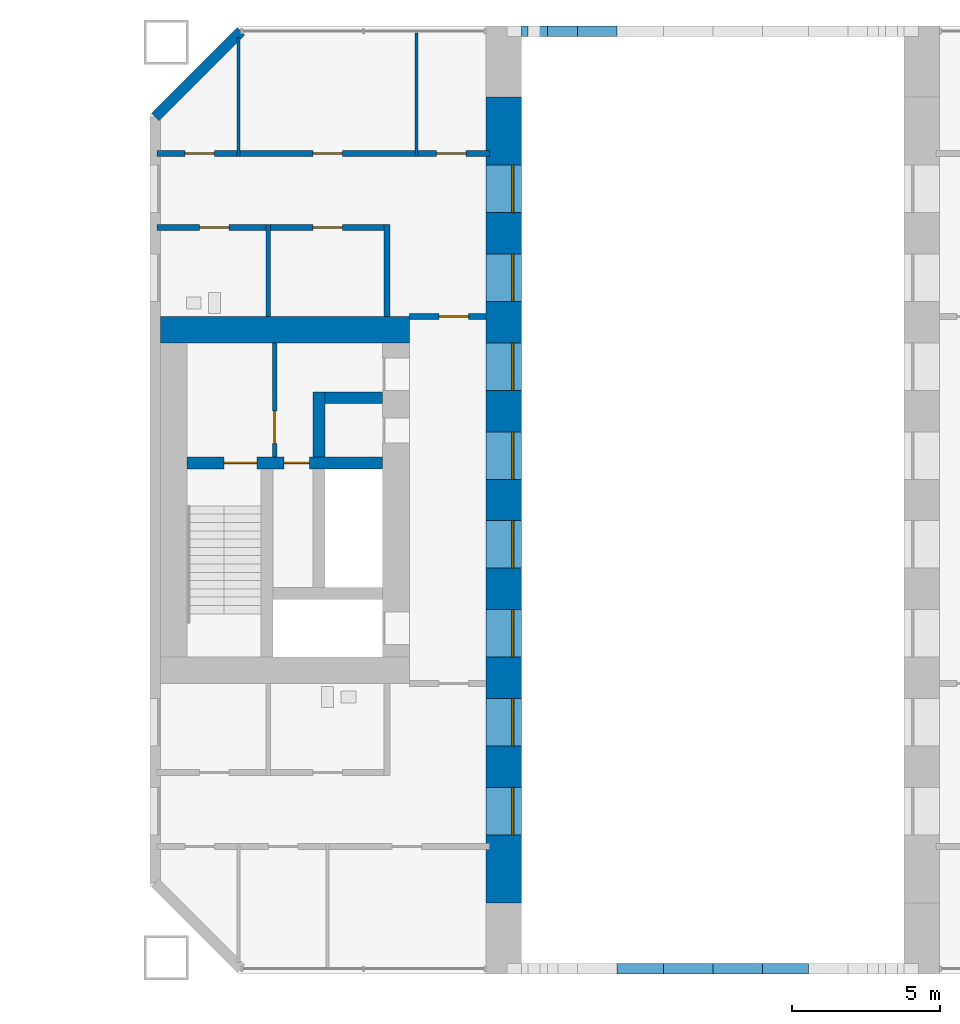
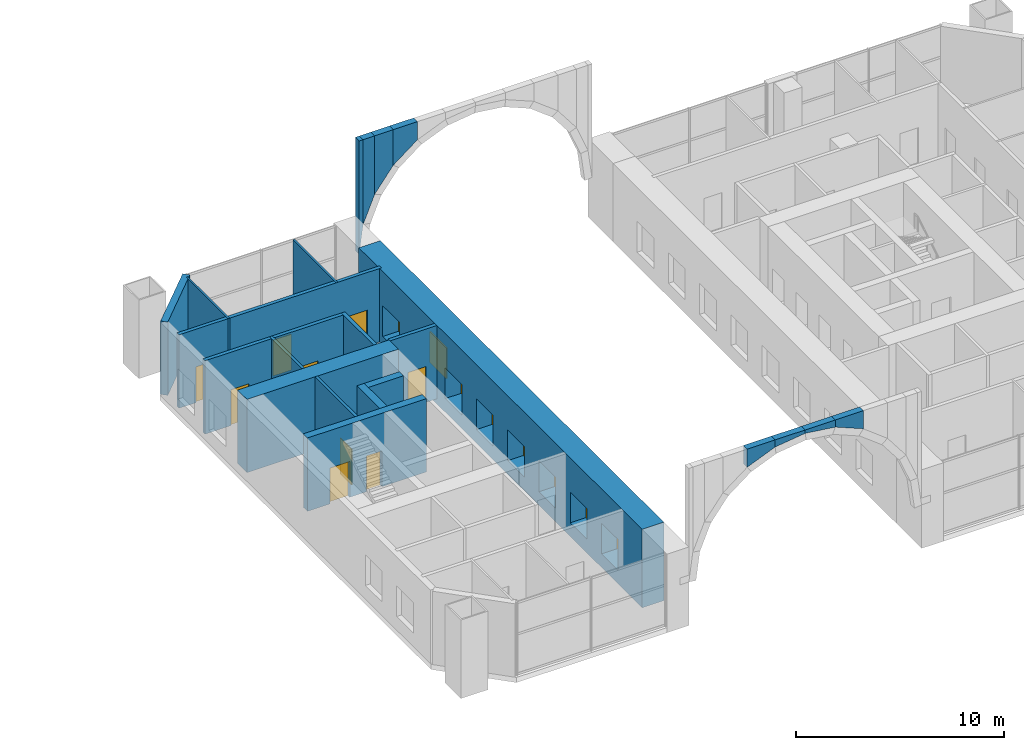
# One storey, part 15 of 21: 22 walls, 9 doors, 8 windows, 17 openings.
"""IFC4 building model written with IfcOpenShell, lengths in metres."""

from ifc_helpers import new_model, si_unit, direction, frame, frame_2d, origin, place, context, subcontext, project, spatial, polyline, rectangle, outline, extrude, material, layer, layer_set, type_object, element, fill, save


model = new_model("IFC4")

# Units and contexts
model_context = context("Model", 3, precision=1e-05, world=origin(), true_north=direction((0.0, 1.0)))
body_context = subcontext(model_context, "Body", "Model", "MODEL_VIEW")
ifc_project = project(units=[si_unit("LENGTHUNIT", "METRE"), si_unit("AREAUNIT", "SQUARE_METRE"), si_unit("VOLUMEUNIT", "CUBIC_METRE"), si_unit("PLANEANGLEUNIT", "RADIAN"), si_unit("MASSUNIT", "GRAM", prefix="KILO")], contexts=[model_context])

# Site, building, storey
site_placement = place(None, origin())
site = spatial("IfcSite", under=ifc_project, at=site_placement, CompositionType="ELEMENT")
building_placement = place(site_placement, origin())
building = spatial("IfcBuilding", under=site, at=building_placement, Name="Tuart Gate Housing", CompositionType="ELEMENT")
storey_placement = place(building_placement, frame((0.0, 0.0, 5.5)))
storey = spatial("IfcBuildingStorey", under=building, at=storey_placement, Name="L01", CompositionType="ELEMENT", Elevation=5.5)

# Walls
ifc_material_1 = material(Name="Gypsum board on steel studs", Category="steel")
ifc_layer_1 = layer(ifc_material_1, 0.14990234375)
ifc_layer_set_1 = layer_set([ifc_layer_1], Name="Bathroom wall 150")
wall_type_1 = type_object("IfcWallType", Name="Bathroom wall 150", PredefinedType="PLUMBINGWALL", material=ifc_layer_set_1)
wall_1_placement = place(storey_placement, frame((135.0, 76.199951171875, 0.0), z_axis=(0.0, 0.0, 1.0), x_axis=(0.0, 1.0, 0.0)))
element("IfcWall", 1, at=wall_1_placement, inside=storey, type_object=wall_type_1, Name="Bathroom wall 150", PredefinedType="PLUMBINGWALL", context=body_context, shape_type="SweptSolid", body=[
    extrude(rectangle(XDim=3.10009765625, YDim=0.14990234375, at=frame_2d((1.550048828125, 0.0))), origin(), (0.0, 0.0, 1.0), 4.300048828125),
])
ifc_material_2 = material(Name="Brick", Category="masonry")
ifc_layer_2 = layer(ifc_material_2, 0.360107421875)
ifc_layer_set_2 = layer_set([ifc_layer_2], Name="Brick pier and spandrel wall 360")
wall_type_2 = type_object("IfcWallType", Name="Brick pier and spandrel wall 360", PredefinedType="STANDARD", material=ifc_layer_set_2)
wall_2_placement = place(storey_placement, frame((134.07470703125, 85.820068359375, 0.0), z_axis=(0.0, 0.0, 1.0), x_axis=(-0.707106781187, -0.707106781187, 0.0)))
element("IfcWall", 2, at=wall_2_placement, inside=storey, type_object=wall_type_2, Name="External wall B-NW L01", PredefinedType="STANDARD", context=body_context, shape_type="SweptSolid", body=[
    extrude(rectangle(XDim=4.09375, YDim=0.360107421875, at=frame_2d((2.046875, 0.0))), origin(), (0.0, 0.0, 1.0), 4.300048828125),
])
wall_3_placement = place(storey_placement, frame((146.77490234375, 54.179931640625, 7.8359375), z_axis=(0.0, 0.0, 1.0), x_axis=(1.0, 0.0, 0.0)))
element("IfcWall", 3, at=wall_3_placement, inside=storey, type_object=wall_type_2, Name="Arch spandrel B-S", PredefinedType="STANDARD", context=body_context, shape_type="SweptSolid", body=[
    extrude(outline(polyline([(0.0, 0.0), (1.5556640625, 0.644287109375), (1.5556640625, 1.06396484375), (0.0, 1.06396484375), (0.0, 0.0)])), frame((0.0, 0.18017578125, 0.0), z_axis=(0.0, -1.0, 0.0), x_axis=(1.0, 0.0, 0.0)), (0.0, 0.0, 1.0), 0.360107421875),
])
wall_4_placement = place(storey_placement, frame((148.33056640625, 54.179931640625, 8.480224609375), z_axis=(0.0, 0.0, 1.0), x_axis=(1.0, 0.0, 0.0)))
element("IfcWall", 4, at=wall_4_placement, inside=storey, type_object=wall_type_2, Name="Arch spandrel B-S", PredefinedType="STANDARD", context=body_context, shape_type="SweptSolid", body=[
    extrude(outline(polyline([(0.0, 0.0), (1.66943359375, 0.2197265625), (1.66943359375, 0.419677734375), (0.0, 0.419677734375), (0.0, 0.0)])), frame((0.0, 0.18017578125, 0.0), z_axis=(0.0, -1.0, 0.0), x_axis=(1.0, 0.0, 0.0)), (0.0, 0.0, 1.0), 0.360107421875),
])
wall_5_placement = place(storey_placement, frame((150.0, 54.179931640625, 8.480224609375), z_axis=(0.0, 0.0, 1.0), x_axis=(1.0, 0.0, 0.0)))
element("IfcWall", 5, at=wall_5_placement, inside=storey, type_object=wall_type_2, Name="Arch spandrel B-S", PredefinedType="STANDARD", context=body_context, shape_type="SweptSolid", body=[
    extrude(outline(polyline([(0.0, 0.2197265625), (1.66943359375, 0.0), (1.66943359375, 0.419677734375), (0.0, 0.419677734375), (0.0, 0.2197265625)])), frame((0.0, 0.18017578125, 0.0), z_axis=(0.0, -1.0, 0.0), x_axis=(1.0, 0.0, 0.0)), (0.0, 0.0, 1.0), 0.360107421875),
])
wall_6_placement = place(storey_placement, frame((151.66943359375, 54.179931640625, 7.8359375), z_axis=(0.0, 0.0, 1.0), x_axis=(1.0, 0.0, 0.0)))
element("IfcWall", 6, at=wall_6_placement, inside=storey, type_object=wall_type_2, Name="Arch spandrel B-S", PredefinedType="STANDARD", context=body_context, shape_type="SweptSolid", body=[
    extrude(outline(polyline([(0.0, 0.644287109375), (1.5556640625, 0.0), (1.5556640625, 1.06396484375), (0.0, 1.06396484375), (0.0, 0.644287109375)])), frame((0.0, 0.18017578125, 0.0), z_axis=(0.0, -1.0, 0.0), x_axis=(1.0, 0.0, 0.0)), (0.0, 0.0, 1.0), 0.360107421875),
])
wall_7_placement = place(storey_placement, frame((143.769775390625, 85.820068359375, 2.25), z_axis=(0.0, 0.0, 1.0), x_axis=(-1.0, 0.0, 0.0)))
element("IfcWall", 7, at=wall_7_placement, inside=storey, type_object=wall_type_2, Name="Arch spandrel B-N", PredefinedType="STANDARD", context=body_context, shape_type="SweptSolid", body=[
    extrude(outline(polyline([(0.0, 1.66943359375), (0.2197265625, 0.0), (0.2197265625, 6.64990234375), (0.0, 6.64990234375), (0.0, 1.66943359375)])), frame((0.0, 0.18017578125, 0.0), z_axis=(0.0, -1.0, 0.0), x_axis=(1.0, 0.0, 0.0)), (0.0, 0.0, 1.0), 0.360107421875),
])
wall_8_placement = place(storey_placement, frame((144.4140625, 85.820068359375, 3.91943359375), z_axis=(0.0, 0.0, 1.0), x_axis=(-1.0, 0.0, 0.0)))
element("IfcWall", 8, at=wall_8_placement, inside=storey, type_object=wall_type_2, Name="Arch spandrel B-N", PredefinedType="STANDARD", context=body_context, shape_type="SweptSolid", body=[
    extrude(outline(polyline([(0.0, 1.5556640625), (0.644287109375, 0.0), (0.644287109375, 4.98046875), (0.0, 4.98046875), (0.0, 1.5556640625)])), frame((0.0, 0.18017578125, 0.0), z_axis=(0.0, -1.0, 0.0), x_axis=(1.0, 0.0, 0.0)), (0.0, 0.0, 1.0), 0.360107421875),
])
wall_9_placement = place(storey_placement, frame((145.439208984375, 85.820068359375, 5.47509765625), z_axis=(0.0, 0.0, 1.0), x_axis=(-1.0, 0.0, 0.0)))
element("IfcWall", 9, at=wall_9_placement, inside=storey, type_object=wall_type_2, Name="Arch spandrel B-N", PredefinedType="STANDARD", context=body_context, shape_type="SweptSolid", body=[
    extrude(outline(polyline([(0.0, 1.335693359375), (1.025146484375, 0.0), (1.025146484375, 3.4248046875), (0.0, 3.4248046875), (0.0, 1.335693359375)])), frame((0.0, 0.18017578125, 0.0), z_axis=(0.0, -1.0, 0.0), x_axis=(1.0, 0.0, 0.0)), (0.0, 0.0, 1.0), 0.360107421875),
])
wall_10_placement = place(storey_placement, frame((146.77490234375, 85.820068359375, 6.810791015625), z_axis=(0.0, 0.0, 1.0), x_axis=(-1.0, 0.0, 0.0)))
element("IfcWall", 10, at=wall_10_placement, inside=storey, type_object=wall_type_2, Name="Arch spandrel B-N", PredefinedType="STANDARD", context=body_context, shape_type="SweptSolid", body=[
    extrude(outline(polyline([(0.0, 1.025146484375), (1.335693359375, 0.0), (1.335693359375, 2.089111328125), (0.0, 2.089111328125), (0.0, 1.025146484375)])), frame((0.0, 0.18017578125, 0.0), z_axis=(0.0, -1.0, 0.0), x_axis=(1.0, 0.0, 0.0)), (0.0, 0.0, 1.0), 0.360107421875),
])

# Wall, opening, door
ifc_material_3 = material(Name="Plasterboard partition")
ifc_layer_3 = layer(ifc_material_3, 0.14990234375)
ifc_layer_set_3 = layer_set([ifc_layer_3], Name="Core partition 150")
wall_type_3 = type_object("IfcWallType", Name="Core partition 150", PredefinedType="PARTITIONING", material=ifc_layer_set_3)
wall_11_placement = place(storey_placement, frame((135.2099609375, 71.449951171875, 0.0), z_axis=(0.0, 0.0, 1.0), x_axis=(0.0, 1.0, 0.0)))
wall_11 = element("IfcWall", 11, at=wall_11_placement, inside=storey, type_object=wall_type_3, Name="Core partition BG.6", PredefinedType="PARTITIONING", context=body_context, shape_type="SweptSolid", body=[
    extrude(rectangle(XDim=3.85009765625, YDim=0.14990234375, at=frame_2d((1.925048828125, 0.0))), origin(), (0.0, 0.0, 1.0), 4.300048828125),
])
opening_1_placement = place(wall_11_placement, frame((0.449951171875, 0.0, 0.0)))
opening_1 = element("IfcOpeningElement", 12, at=opening_1_placement, cuts=wall_11, Name="Opening D3142", PredefinedType="OPENING", context=body_context, shape_type="SweptSolid", body=[
    extrude(rectangle(XDim=1.10009765625, YDim=2.10009765625, at=frame_2d((0.550048828125, 1.050048828125))), frame((0.0, 0.0849609375, 0.0), z_axis=(0.0, -1.0, 0.0), x_axis=(1.0, 0.0, 0.0)), (0.0, 0.0, 1.0), 0.169921875),
])
ifc_material_4 = material(Name="Steel fire door", Category="steel")
door_type_1 = type_object("IfcDoorType", Name="Lobby door 1100 x 2100", OperationType="SINGLE_SWING_LEFT", PredefinedType="DOOR", material=ifc_material_4)
door_1_placement = place(opening_1_placement, origin())
door_1 = element("IfcDoor", 13, at=door_1_placement, inside=storey, type_object=door_type_1, Name="Smoke lobby door BG.KD", OperationType="SINGLE_SWING_LEFT", OverallHeight=2.10009765625, OverallWidth=1.10009765625, PredefinedType="DOOR", context=body_context, shape_type="SweptSolid", body=[
    extrude(rectangle(XDim=1.10009765625, YDim=2.10009765625, at=frame_2d((0.550048828125, 1.050048828125))), frame((0.0, 0.02490234375, 0.0), z_axis=(0.0, -1.0, 0.0), x_axis=(1.0, 0.0, 0.0)), (0.0, 0.0, 1.0), 0.050048828125),
])
fill(opening_1, door_1)

# Wall, openings, doors
ifc_material_5 = material(Name="Concrete C60", Category="concrete")
ifc_layer_4 = layer(ifc_material_5, 0.39990234375)
ifc_layer_set_4 = layer_set([ifc_layer_4], Name="Core wall 400 C60")
wall_type_4 = type_object("IfcWallType", Name="Core wall 400 C60", PredefinedType="SHEAR", material=ifc_layer_set_4)
wall_12_placement = place(storey_placement, frame((138.860107421875, 71.25, 0.0), z_axis=(0.0, 0.0, 1.0), x_axis=(-1.0, 0.0, 0.0)))
wall_12 = element("IfcWall", 14, at=wall_12_placement, inside=storey, type_object=wall_type_4, Name="Core wall BG.2", PredefinedType="SHEAR", context=body_context, shape_type="SweptSolid", body=[
    extrude(rectangle(XDim=6.60009765625, YDim=0.39990234375, at=frame_2d((3.300048828125, 0.0))), origin(), (0.0, 0.0, 1.0), 4.300048828125),
])
opening_2_placement = place(wall_12_placement, frame((4.25, 0.0, 0.0)))
opening_2 = element("IfcOpeningElement", 15, at=opening_2_placement, cuts=wall_12, Name="Opening D3146", PredefinedType="OPENING", context=body_context, shape_type="SweptSolid", body=[
    extrude(rectangle(XDim=1.10009765625, YDim=2.10009765625, at=frame_2d((0.550048828125, 1.050048828125))), frame((0.0, 0.2099609375, 0.0), z_axis=(0.0, -1.0, 0.0), x_axis=(1.0, 0.0, 0.0)), (0.0, 0.0, 1.0), 0.419921875),
])
opening_3_placement = place(wall_12_placement, frame((2.47509765625, 0.0, 0.0)))
opening_3 = element("IfcOpeningElement", 16, at=opening_3_placement, cuts=wall_12, Name="Opening D3145", PredefinedType="OPENING", context=body_context, shape_type="SweptSolid", body=[
    extrude(rectangle(XDim=0.85009765625, YDim=2.10009765625, at=frame_2d((0.425048828125, 1.050048828125))), frame((0.0, 0.2099609375, 0.0), z_axis=(0.0, -1.0, 0.0), x_axis=(1.0, 0.0, 0.0)), (0.0, 0.0, 1.0), 0.419921875),
])
ifc_material_6 = material(Name="Steel fire door", Category="steel")
door_type_2 = type_object("IfcDoorType", Name="Riser door 850 x 2100", OperationType="SINGLE_SWING_LEFT", PredefinedType="DOOR", material=ifc_material_6)
door_2_placement = place(opening_3_placement, origin())
door_2 = element("IfcDoor", 17, at=door_2_placement, inside=storey, type_object=door_type_2, Name="Service room door BG.W1", OperationType="SINGLE_SWING_LEFT", OverallHeight=2.10009765625, OverallWidth=0.85009765625, PredefinedType="DOOR", context=body_context, shape_type="SweptSolid", body=[
    extrude(rectangle(XDim=0.85009765625, YDim=2.10009765625, at=frame_2d((0.425048828125, 1.050048828125))), frame((0.0, 0.02490234375, 0.0), z_axis=(0.0, -1.0, 0.0), x_axis=(1.0, 0.0, 0.0)), (0.0, 0.0, 1.0), 0.050048828125),
])
fill(opening_3, door_2)
ifc_material_7 = material(Name="Steel fire door", Category="steel")
door_type_3 = type_object("IfcDoorType", Name="Stair door 1100 x 2100", OperationType="SINGLE_SWING_LEFT", PredefinedType="DOOR", material=ifc_material_7)
door_3_placement = place(opening_2_placement, origin())
door_3 = element("IfcDoor", 18, at=door_3_placement, inside=storey, type_object=door_type_3, Name="Stair door BG.SD", OperationType="SINGLE_SWING_LEFT", OverallHeight=2.10009765625, OverallWidth=1.10009765625, PredefinedType="DOOR", context=body_context, shape_type="SweptSolid", body=[
    extrude(rectangle(XDim=1.10009765625, YDim=2.10009765625, at=frame_2d((0.550048828125, 1.050048828125))), frame((0.0, 0.02490234375, 0.0), z_axis=(0.0, -1.0, 0.0), x_axis=(1.0, 0.0, 0.0)), (0.0, 0.0, 1.0), 0.050048828125),
])
fill(opening_2, door_3)

# Walls
wall_13_placement = place(storey_placement, frame((138.860107421875, 73.449951171875, 0.0), z_axis=(0.0, 0.0, 1.0), x_axis=(-1.0, 0.0, 0.0)))
element("IfcWall", 19, at=wall_13_placement, inside=storey, type_object=wall_type_4, Name="Core wall BG.3", PredefinedType="SHEAR", context=body_context, shape_type="SweptSolid", body=[
    extrude(rectangle(XDim=1.9501953125, YDim=0.39990234375, at=frame_2d((0.97509765625, 0.0))), origin(), (0.0, 0.0, 1.0), 4.300048828125),
])
wall_14_placement = place(storey_placement, frame((136.7099609375, 71.449951171875, 0.0), z_axis=(0.0, 0.0, 1.0), x_axis=(0.0, 1.0, 0.0)))
element("IfcWall", 20, at=wall_14_placement, inside=storey, type_object=wall_type_4, Name="Core wall BG.5", PredefinedType="SHEAR", context=body_context, shape_type="SweptSolid", body=[
    extrude(rectangle(XDim=2.199951171875, YDim=0.39990234375, at=frame_2d((1.10009765625, 0.0))), origin(), (0.0, 0.0, 1.0), 4.300048828125),
])
ifc_material_8 = material(Name="Concrete C60", Category="concrete")
ifc_layer_5 = layer(ifc_material_8, 0.89990234375)
ifc_layer_set_5 = layer_set([ifc_layer_5], Name="Core wall 900 C60")
wall_type_5 = type_object("IfcWallType", Name="Core wall 900 C60", PredefinedType="SHEAR", material=ifc_layer_set_5)
wall_15_placement = place(storey_placement, frame((139.760009765625, 75.75, 0.0), z_axis=(0.0, 0.0, 1.0), x_axis=(-1.0, 0.0, 0.0)))
element("IfcWall", 21, at=wall_15_placement, inside=storey, type_object=wall_type_5, Name="Core wall BG north", PredefinedType="SHEAR", context=body_context, shape_type="SweptSolid", body=[
    extrude(rectangle(XDim=8.39990234375, YDim=0.89990234375, at=frame_2d((4.199951171875, 0.0))), origin(), (0.0, 0.0, 1.0), 4.300048828125),
])

# Wall, openings, doors
ifc_material_9 = material(Name="Concrete masonry 15 MPa", Category="masonry")
ifc_layer_6 = layer(ifc_material_9, 0.199951171875)
ifc_layer_set_6 = layer_set([ifc_layer_6], Name="Corridor wall masonry 200")
wall_type_6 = type_object("IfcWallType", Name="Corridor wall masonry 200", PredefinedType="PARTITIONING", material=ifc_layer_set_6)
wall_16_placement = place(storey_placement, frame((131.239990234375, 79.199951171875, 0.0), z_axis=(0.0, 0.0, 1.0), x_axis=(1.0, 0.0, 0.0)))
wall_16 = element("IfcWall", 22, at=wall_16_placement, inside=storey, type_object=wall_type_6, Name="Corridor wall masonry 200", PredefinedType="PARTITIONING", context=body_context, shape_type="SweptSolid", body=[
    extrude(rectangle(XDim=7.860107421875, YDim=0.199951171875, at=frame_2d((3.93017578125, 0.0))), origin(), (0.0, 0.0, 1.0), 4.300048828125),
])
opening_4_placement = place(wall_16_placement, frame((1.43994140625, 0.0, 0.0)))
opening_4 = element("IfcOpeningElement", 23, at=opening_4_placement, cuts=wall_16, Name="Opening D3136", PredefinedType="OPENING", context=body_context, shape_type="SweptSolid", body=[
    extrude(rectangle(XDim=1.0, YDim=2.10009765625, at=frame_2d((0.5, 1.050048828125))), frame((0.0, 0.10986328125, 0.0), z_axis=(0.0, -1.0, 0.0), x_axis=(1.0, 0.0, 0.0)), (0.0, 0.0, 1.0), 0.219970703125),
])
opening_5_placement = place(wall_16_placement, frame((5.260009765625, 0.0, 0.0)))
opening_5 = element("IfcOpeningElement", 24, at=opening_5_placement, cuts=wall_16, Name="Opening D3137", PredefinedType="OPENING", context=body_context, shape_type="SweptSolid", body=[
    extrude(rectangle(XDim=1.0, YDim=2.10009765625, at=frame_2d((0.5, 1.050048828125))), frame((0.0, 0.10986328125, 0.0), z_axis=(0.0, -1.0, 0.0), x_axis=(1.0, 0.0, 0.0)), (0.0, 0.0, 1.0), 0.219970703125),
])
ifc_material_10 = material(Name="Timber door leaf in steel frame", Category="steel")
door_type_4 = type_object("IfcDoorType", Name="Fire door 1000 RH", OperationType="SINGLE_SWING_RIGHT", PredefinedType="DOOR", material=ifc_material_10)
door_4_placement = place(opening_4_placement, frame((1.0, 0.0, 0.0), z_axis=(0.0, 0.0, 1.0), x_axis=(-1.0, 0.0, 0.0)))
door_4 = element("IfcDoor", 25, at=door_4_placement, inside=storey, type_object=door_type_4, Name="Fire door 1000", OperationType="SINGLE_SWING_RIGHT", OverallHeight=2.10009765625, OverallWidth=1.0, PredefinedType="DOOR", context=body_context, shape_type="SweptSolid", body=[
    extrude(rectangle(XDim=1.0, YDim=2.10009765625, at=frame_2d((0.5, 1.050048828125))), frame((0.0, 0.025146484375, 0.0), z_axis=(0.0, -1.0, 0.0), x_axis=(1.0, 0.0, 0.0)), (0.0, 0.0, 1.0), 0.050048828125),
])
fill(opening_4, door_4)
door_5_placement = place(opening_5_placement, frame((1.0, 0.0, 0.0), z_axis=(0.0, 0.0, 1.0), x_axis=(-1.0, 0.0, 0.0)))
door_5 = element("IfcDoor", 26, at=door_5_placement, inside=storey, type_object=door_type_4, Name="Fire door 1000", OperationType="SINGLE_SWING_RIGHT", OverallHeight=2.10009765625, OverallWidth=1.0, PredefinedType="DOOR", context=body_context, shape_type="SweptSolid", body=[
    extrude(rectangle(XDim=1.0, YDim=2.10009765625, at=frame_2d((0.5, 1.050048828125))), frame((0.0, 0.025146484375, 0.0), z_axis=(0.0, -1.0, 0.0), x_axis=(1.0, 0.0, 0.0)), (0.0, 0.0, 1.0), 0.050048828125),
])
fill(opening_5, door_5)

wall_17_placement = place(storey_placement, frame((131.239990234375, 81.699951171875, 0.0), z_axis=(0.0, 0.0, 1.0), x_axis=(1.0, 0.0, 0.0)))
wall_17 = element("IfcWall", 27, at=wall_17_placement, inside=storey, type_object=wall_type_6, Name="Corridor wall masonry 200", PredefinedType="PARTITIONING", context=body_context, shape_type="SweptSolid", body=[
    extrude(rectangle(XDim=11.22998046875, YDim=0.199951171875, at=frame_2d((5.614990234375, 0.0))), origin(), (0.0, 0.0, 1.0), 4.300048828125),
])
opening_6_placement = place(wall_17_placement, frame((0.93994140625, 0.0, 0.0)))
opening_6 = element("IfcOpeningElement", 28, at=opening_6_placement, cuts=wall_17, Name="Opening D3130", PredefinedType="OPENING", context=body_context, shape_type="SweptSolid", body=[
    extrude(rectangle(XDim=1.0, YDim=2.10009765625, at=frame_2d((0.5, 1.050048828125))), frame((0.0, 0.10986328125, 0.0), z_axis=(0.0, -1.0, 0.0), x_axis=(1.0, 0.0, 0.0)), (0.0, 0.0, 1.0), 0.219970703125),
])
opening_7_placement = place(wall_17_placement, frame((5.260009765625, 0.0, 0.0)))
opening_7 = element("IfcOpeningElement", 29, at=opening_7_placement, cuts=wall_17, Name="Opening D3131", PredefinedType="OPENING", context=body_context, shape_type="SweptSolid", body=[
    extrude(rectangle(XDim=1.0, YDim=2.10009765625, at=frame_2d((0.5, 1.050048828125))), frame((0.0, 0.10986328125, 0.0), z_axis=(0.0, -1.0, 0.0), x_axis=(1.0, 0.0, 0.0)), (0.0, 0.0, 1.0), 0.219970703125),
])
opening_8_placement = place(wall_17_placement, frame((9.43505859375, 0.0, 0.0)))
opening_8 = element("IfcOpeningElement", 30, at=opening_8_placement, cuts=wall_17, Name="Opening D3132", PredefinedType="OPENING", context=body_context, shape_type="SweptSolid", body=[
    extrude(rectangle(XDim=1.0, YDim=2.10009765625, at=frame_2d((0.5, 1.050048828125))), frame((0.0, 0.10986328125, 0.0), z_axis=(0.0, -1.0, 0.0), x_axis=(1.0, 0.0, 0.0)), (0.0, 0.0, 1.0), 0.219970703125),
])
ifc_material_11 = material(Name="Timber door leaf in steel frame", Category="steel")
door_type_5 = type_object("IfcDoorType", Name="Fire door 1000", OperationType="SINGLE_SWING_LEFT", PredefinedType="DOOR", material=ifc_material_11)
door_6_placement = place(opening_6_placement, origin())
door_6 = element("IfcDoor", 31, at=door_6_placement, inside=storey, type_object=door_type_5, Name="Fire door 1000", OperationType="SINGLE_SWING_LEFT", OverallHeight=2.10009765625, OverallWidth=1.0, PredefinedType="DOOR", context=body_context, shape_type="SweptSolid", body=[
    extrude(rectangle(XDim=1.0, YDim=2.10009765625, at=frame_2d((0.5, 1.050048828125))), frame((0.0, 0.02490234375, 0.0), z_axis=(0.0, -1.0, 0.0), x_axis=(1.0, 0.0, 0.0)), (0.0, 0.0, 1.0), 0.050048828125),
])
fill(opening_6, door_6)
door_7_placement = place(opening_7_placement, origin())
door_7 = element("IfcDoor", 32, at=door_7_placement, inside=storey, type_object=door_type_5, Name="Fire door 1000", OperationType="SINGLE_SWING_LEFT", OverallHeight=2.10009765625, OverallWidth=1.0, PredefinedType="DOOR", context=body_context, shape_type="SweptSolid", body=[
    extrude(rectangle(XDim=1.0, YDim=2.10009765625, at=frame_2d((0.5, 1.050048828125))), frame((0.0, 0.02490234375, 0.0), z_axis=(0.0, -1.0, 0.0), x_axis=(1.0, 0.0, 0.0)), (0.0, 0.0, 1.0), 0.050048828125),
])
fill(opening_7, door_7)
door_8_placement = place(opening_8_placement, origin())
door_8 = element("IfcDoor", 33, at=door_8_placement, inside=storey, type_object=door_type_5, Name="Fire door 1000", OperationType="SINGLE_SWING_LEFT", OverallHeight=2.10009765625, OverallWidth=1.0, PredefinedType="DOOR", context=body_context, shape_type="SweptSolid", body=[
    extrude(rectangle(XDim=1.0, YDim=2.10009765625, at=frame_2d((0.5, 1.050048828125))), frame((0.0, 0.02490234375, 0.0), z_axis=(0.0, -1.0, 0.0), x_axis=(1.0, 0.0, 0.0)), (0.0, 0.0, 1.0), 0.050048828125),
])
fill(opening_8, door_8)

# Wall
wall_18_placement = place(storey_placement, frame((139.0, 76.199951171875, 0.0), z_axis=(0.0, 0.0, 1.0), x_axis=(0.0, 1.0, 0.0)))
element("IfcWall", 34, at=wall_18_placement, inside=storey, type_object=wall_type_6, Name="Corridor wall masonry 200", PredefinedType="PARTITIONING", context=body_context, shape_type="SweptSolid", body=[
    extrude(rectangle(XDim=3.10009765625, YDim=0.199951171875, at=frame_2d((1.550048828125, 0.0))), origin(), (0.0, 0.0, 1.0), 4.300048828125),
])

# Wall, opening, door
ifc_material_12 = material(Name="Concrete masonry 15 MPa", Category="masonry")
ifc_layer_7 = layer(ifc_material_12, 0.199951171875)
ifc_layer_set_7 = layer_set([ifc_layer_7], Name="Enclosure wall masonry 200")
wall_type_7 = type_object("IfcWallType", Name="Enclosure wall masonry 200", PredefinedType="PARTITIONING", material=ifc_layer_set_7)
wall_19_placement = place(storey_placement, frame((139.760009765625, 76.199951171875, 0.0), z_axis=(0.0, 0.0, 1.0), x_axis=(1.0, 0.0, 0.0)))
wall_19 = element("IfcWall", 35, at=wall_19_placement, inside=storey, type_object=wall_type_7, Name="Enclosure wall masonry 200", PredefinedType="PARTITIONING", context=body_context, shape_type="SweptSolid", body=[
    extrude(rectangle(XDim=2.590087890625, YDim=0.199951171875, at=frame_2d((1.294921875, 0.0))), origin(), (0.0, 0.0, 1.0), 4.300048828125),
])
opening_9_placement = place(wall_19_placement, frame((1.0, 0.0, 0.0)))
opening_9 = element("IfcOpeningElement", 36, at=opening_9_placement, cuts=wall_19, Name="Opening D3140", PredefinedType="OPENING", context=body_context, shape_type="SweptSolid", body=[
    extrude(rectangle(XDim=1.0, YDim=2.10009765625, at=frame_2d((0.5, 1.050048828125))), frame((0.0, 0.10986328125, 0.0), z_axis=(0.0, -1.0, 0.0), x_axis=(1.0, 0.0, 0.0)), (0.0, 0.0, 1.0), 0.219970703125),
])
ifc_material_13 = material(Name="Timber door leaf in steel frame", Category="steel")
door_type_6 = type_object("IfcDoorType", Name="Lobby door 1000", OperationType="SINGLE_SWING_LEFT", PredefinedType="DOOR", material=ifc_material_13)
door_9_placement = place(opening_9_placement, frame((1.0, 0.0, 0.0), z_axis=(0.0, 0.0, 1.0), x_axis=(-1.0, 0.0, 0.0)))
door_9 = element("IfcDoor", 37, at=door_9_placement, inside=storey, type_object=door_type_6, Name="Lobby door 1000", OperationType="SINGLE_SWING_LEFT", OverallHeight=2.10009765625, OverallWidth=1.0, PredefinedType="DOOR", context=body_context, shape_type="SweptSolid", body=[
    extrude(rectangle(XDim=1.0, YDim=2.10009765625, at=frame_2d((0.5, 1.050048828125))), frame((0.0, 0.025146484375, 0.0), z_axis=(0.0, -1.0, 0.0), x_axis=(1.0, 0.0, 0.0)), (0.0, 0.0, 1.0), 0.050048828125),
])
fill(opening_9, door_9)

# Walls
ifc_material_14 = material(Name="Gypsum board on steel studs", Category="steel")
ifc_layer_8 = layer(ifc_material_14, 0.10009765625)
ifc_layer_set_8 = layer_set([ifc_layer_8], Name="Partition 100")
wall_type_8 = type_object("IfcWallType", Name="Partition 100", PredefinedType="PARTITIONING", material=ifc_layer_set_8)
wall_20_placement = place(storey_placement, frame((134.0, 81.60009765625, 0.0), z_axis=(0.0, 0.0, 1.0), x_axis=(0.0, 1.0, 0.0)))
element("IfcWall", 38, at=wall_20_placement, inside=storey, type_object=wall_type_8, Name="Partition 100", PredefinedType="PARTITIONING", context=body_context, shape_type="SweptSolid", body=[
    extrude(rectangle(XDim=4.010986328125, YDim=0.10009765625, at=frame_2d((2.00537109375, 0.0))), origin(), (0.0, 0.0, 1.0), 4.300048828125),
])
wall_21_placement = place(storey_placement, frame((140.0, 81.60009765625, 0.0), z_axis=(0.0, 0.0, 1.0), x_axis=(0.0, 1.0, 0.0)))
element("IfcWall", 39, at=wall_21_placement, inside=storey, type_object=wall_type_8, Name="Partition 100", PredefinedType="PARTITIONING", context=body_context, shape_type="SweptSolid", body=[
    extrude(rectangle(XDim=4.159912109375, YDim=0.10009765625, at=frame_2d((2.080078125, 0.0))), origin(), (0.0, 0.0, 1.0), 4.300048828125),
])

# Wall, openings, windows
ifc_material_15 = material(Name="Concrete C60", Category="concrete")
ifc_layer_9 = layer(ifc_material_15, 1.199951171875)
ifc_layer_set_9 = layer_set([ifc_layer_9], Name="RC wall 1200 C60")
wall_type_9 = type_object("IfcWallType", Name="RC wall 1200 C60", PredefinedType="SHEAR", material=ifc_layer_set_9)
wall_22_placement = place(storey_placement, frame((142.949951171875, 56.39990234375, -0.300048828125), z_axis=(0.0, 0.0, 1.0), x_axis=(0.0, 1.0, 0.0)))
wall_22 = element("IfcWall", 40, at=wall_22_placement, inside=storey, type_object=wall_type_9, Name="Pier wall BW L01", PredefinedType="SHEAR", context=body_context, shape_type="SweptSolid", body=[
    extrude(rectangle(XDim=27.2001953125, YDim=1.199951171875, at=frame_2d((13.60009765625, 0.0))), origin(), (0.0, 0.0, 1.0), 4.60009765625),
])
opening_10_placement = place(wall_22_placement, frame((2.300048828125, 0.0, 0.800048828125)))
opening_10 = element("IfcOpeningElement", 41, at=opening_10_placement, cuts=wall_22, Name="Opening W1", PredefinedType="OPENING", context=body_context, shape_type="SweptSolid", body=[
    extrude(rectangle(XDim=1.60009765625, YDim=1.800048828125, at=frame_2d((0.800048828125, 0.89990234375))), frame((0.0, 0.60986328125, 0.0), z_axis=(0.0, -1.0, 0.0), x_axis=(1.0, 0.0, 0.0)), (0.0, 0.0, 1.0), 1.219970703125),
])
opening_11_placement = place(wall_22_placement, frame((5.300048828125, 0.0, 0.800048828125)))
opening_11 = element("IfcOpeningElement", 42, at=opening_11_placement, cuts=wall_22, Name="Opening W1", PredefinedType="OPENING", context=body_context, shape_type="SweptSolid", body=[
    extrude(rectangle(XDim=1.60009765625, YDim=1.800048828125, at=frame_2d((0.800048828125, 0.89990234375))), frame((0.0, 0.60986328125, 0.0), z_axis=(0.0, -1.0, 0.0), x_axis=(1.0, 0.0, 0.0)), (0.0, 0.0, 1.0), 1.219970703125),
])
opening_12_placement = place(wall_22_placement, frame((8.300048828125, 0.0, 0.800048828125)))
opening_12 = element("IfcOpeningElement", 43, at=opening_12_placement, cuts=wall_22, Name="Opening W1", PredefinedType="OPENING", context=body_context, shape_type="SweptSolid", body=[
    extrude(rectangle(XDim=1.60009765625, YDim=1.800048828125, at=frame_2d((0.800048828125, 0.89990234375))), frame((0.0, 0.60986328125, 0.0), z_axis=(0.0, -1.0, 0.0), x_axis=(1.0, 0.0, 0.0)), (0.0, 0.0, 1.0), 1.219970703125),
])
opening_13_placement = place(wall_22_placement, frame((11.300048828125, 0.0, 0.800048828125)))
opening_13 = element("IfcOpeningElement", 44, at=opening_13_placement, cuts=wall_22, Name="Opening W1", PredefinedType="OPENING", context=body_context, shape_type="SweptSolid", body=[
    extrude(rectangle(XDim=1.60009765625, YDim=1.800048828125, at=frame_2d((0.800048828125, 0.89990234375))), frame((0.0, 0.60986328125, 0.0), z_axis=(0.0, -1.0, 0.0), x_axis=(1.0, 0.0, 0.0)), (0.0, 0.0, 1.0), 1.219970703125),
])
opening_14_placement = place(wall_22_placement, frame((14.300048828125, 0.0, 0.800048828125)))
opening_14 = element("IfcOpeningElement", 45, at=opening_14_placement, cuts=wall_22, Name="Opening W1", PredefinedType="OPENING", context=body_context, shape_type="SweptSolid", body=[
    extrude(rectangle(XDim=1.60009765625, YDim=1.800048828125, at=frame_2d((0.800048828125, 0.89990234375))), frame((0.0, 0.60986328125, 0.0), z_axis=(0.0, -1.0, 0.0), x_axis=(1.0, 0.0, 0.0)), (0.0, 0.0, 1.0), 1.219970703125),
])
opening_15_placement = place(wall_22_placement, frame((17.300048828125, 0.0, 0.800048828125)))
opening_15 = element("IfcOpeningElement", 46, at=opening_15_placement, cuts=wall_22, Name="Opening W1", PredefinedType="OPENING", context=body_context, shape_type="SweptSolid", body=[
    extrude(rectangle(XDim=1.60009765625, YDim=1.800048828125, at=frame_2d((0.800048828125, 0.89990234375))), frame((0.0, 0.60986328125, 0.0), z_axis=(0.0, -1.0, 0.0), x_axis=(1.0, 0.0, 0.0)), (0.0, 0.0, 1.0), 1.219970703125),
])
opening_16_placement = place(wall_22_placement, frame((20.300048828125, 0.0, 0.800048828125)))
opening_16 = element("IfcOpeningElement", 47, at=opening_16_placement, cuts=wall_22, Name="Opening W1", PredefinedType="OPENING", context=body_context, shape_type="SweptSolid", body=[
    extrude(rectangle(XDim=1.60009765625, YDim=1.800048828125, at=frame_2d((0.800048828125, 0.89990234375))), frame((0.0, 0.60986328125, 0.0), z_axis=(0.0, -1.0, 0.0), x_axis=(1.0, 0.0, 0.0)), (0.0, 0.0, 1.0), 1.219970703125),
])
opening_17_placement = place(wall_22_placement, frame((23.300048828125, 0.0, 0.800048828125)))
opening_17 = element("IfcOpeningElement", 48, at=opening_17_placement, cuts=wall_22, Name="Opening W1", PredefinedType="OPENING", context=body_context, shape_type="SweptSolid", body=[
    extrude(rectangle(XDim=1.60009765625, YDim=1.800048828125, at=frame_2d((0.800048828125, 0.89990234375))), frame((0.0, 0.60986328125, 0.0), z_axis=(0.0, -1.0, 0.0), x_axis=(1.0, 0.0, 0.0)), (0.0, 0.0, 1.0), 1.219970703125),
])
ifc_material_16 = material(Name="Aluminium frame with clear glass", Category="aluminium")
window_type = type_object("IfcWindowType", Name="Punched window 1600 x 1800", PartitioningType="SINGLE_PANEL", PredefinedType="WINDOW", material=ifc_material_16)
window_1_placement = place(opening_10_placement, origin())
window_1 = element("IfcWindow", 49, at=window_1_placement, inside=storey, type_object=window_type, Name="Window W1", OverallHeight=1.800048828125, OverallWidth=1.60009765625, PartitioningType="SINGLE_PANEL", PredefinedType="WINDOW", context=body_context, shape_type="SweptSolid", body=[
    extrude(rectangle(XDim=1.60009765625, YDim=1.800048828125, at=frame_2d((0.800048828125, 0.89990234375))), frame((0.0, -0.27001953125, 0.0), z_axis=(0.0, -1.0, 0.0), x_axis=(1.0, 0.0, 0.0)), (0.0, 0.0, 1.0), 0.06005859375),
])
fill(opening_10, window_1)
window_2_placement = place(opening_11_placement, origin())
window_2 = element("IfcWindow", 50, at=window_2_placement, inside=storey, type_object=window_type, Name="Window W1", OverallHeight=1.800048828125, OverallWidth=1.60009765625, PartitioningType="SINGLE_PANEL", PredefinedType="WINDOW", context=body_context, shape_type="SweptSolid", body=[
    extrude(rectangle(XDim=1.60009765625, YDim=1.800048828125, at=frame_2d((0.800048828125, 0.89990234375))), frame((0.0, -0.27001953125, 0.0), z_axis=(0.0, -1.0, 0.0), x_axis=(1.0, 0.0, 0.0)), (0.0, 0.0, 1.0), 0.06005859375),
])
fill(opening_11, window_2)
window_3_placement = place(opening_12_placement, origin())
window_3 = element("IfcWindow", 51, at=window_3_placement, inside=storey, type_object=window_type, Name="Window W1", OverallHeight=1.800048828125, OverallWidth=1.60009765625, PartitioningType="SINGLE_PANEL", PredefinedType="WINDOW", context=body_context, shape_type="SweptSolid", body=[
    extrude(rectangle(XDim=1.60009765625, YDim=1.800048828125, at=frame_2d((0.800048828125, 0.89990234375))), frame((0.0, -0.27001953125, 0.0), z_axis=(0.0, -1.0, 0.0), x_axis=(1.0, 0.0, 0.0)), (0.0, 0.0, 1.0), 0.06005859375),
])
fill(opening_12, window_3)
window_4_placement = place(opening_13_placement, origin())
window_4 = element("IfcWindow", 52, at=window_4_placement, inside=storey, type_object=window_type, Name="Window W1", OverallHeight=1.800048828125, OverallWidth=1.60009765625, PartitioningType="SINGLE_PANEL", PredefinedType="WINDOW", context=body_context, shape_type="SweptSolid", body=[
    extrude(rectangle(XDim=1.60009765625, YDim=1.800048828125, at=frame_2d((0.800048828125, 0.89990234375))), frame((0.0, -0.27001953125, 0.0), z_axis=(0.0, -1.0, 0.0), x_axis=(1.0, 0.0, 0.0)), (0.0, 0.0, 1.0), 0.06005859375),
])
fill(opening_13, window_4)
window_5_placement = place(opening_14_placement, origin())
window_5 = element("IfcWindow", 53, at=window_5_placement, inside=storey, type_object=window_type, Name="Window W1", OverallHeight=1.800048828125, OverallWidth=1.60009765625, PartitioningType="SINGLE_PANEL", PredefinedType="WINDOW", context=body_context, shape_type="SweptSolid", body=[
    extrude(rectangle(XDim=1.60009765625, YDim=1.800048828125, at=frame_2d((0.800048828125, 0.89990234375))), frame((0.0, -0.27001953125, 0.0), z_axis=(0.0, -1.0, 0.0), x_axis=(1.0, 0.0, 0.0)), (0.0, 0.0, 1.0), 0.06005859375),
])
fill(opening_14, window_5)
window_6_placement = place(opening_15_placement, origin())
window_6 = element("IfcWindow", 54, at=window_6_placement, inside=storey, type_object=window_type, Name="Window W1", OverallHeight=1.800048828125, OverallWidth=1.60009765625, PartitioningType="SINGLE_PANEL", PredefinedType="WINDOW", context=body_context, shape_type="SweptSolid", body=[
    extrude(rectangle(XDim=1.60009765625, YDim=1.800048828125, at=frame_2d((0.800048828125, 0.89990234375))), frame((0.0, -0.27001953125, 0.0), z_axis=(0.0, -1.0, 0.0), x_axis=(1.0, 0.0, 0.0)), (0.0, 0.0, 1.0), 0.06005859375),
])
fill(opening_15, window_6)
window_7_placement = place(opening_16_placement, origin())
window_7 = element("IfcWindow", 55, at=window_7_placement, inside=storey, type_object=window_type, Name="Window W1", OverallHeight=1.800048828125, OverallWidth=1.60009765625, PartitioningType="SINGLE_PANEL", PredefinedType="WINDOW", context=body_context, shape_type="SweptSolid", body=[
    extrude(rectangle(XDim=1.60009765625, YDim=1.800048828125, at=frame_2d((0.800048828125, 0.89990234375))), frame((0.0, -0.27001953125, 0.0), z_axis=(0.0, -1.0, 0.0), x_axis=(1.0, 0.0, 0.0)), (0.0, 0.0, 1.0), 0.06005859375),
])
fill(opening_16, window_7)
window_8_placement = place(opening_17_placement, origin())
window_8 = element("IfcWindow", 56, at=window_8_placement, inside=storey, type_object=window_type, Name="Window W1", OverallHeight=1.800048828125, OverallWidth=1.60009765625, PartitioningType="SINGLE_PANEL", PredefinedType="WINDOW", context=body_context, shape_type="SweptSolid", body=[
    extrude(rectangle(XDim=1.60009765625, YDim=1.800048828125, at=frame_2d((0.800048828125, 0.89990234375))), frame((0.0, -0.27001953125, 0.0), z_axis=(0.0, -1.0, 0.0), x_axis=(1.0, 0.0, 0.0)), (0.0, 0.0, 1.0), 0.06005859375),
])
fill(opening_17, window_8)

save(model, "model.ifc")
